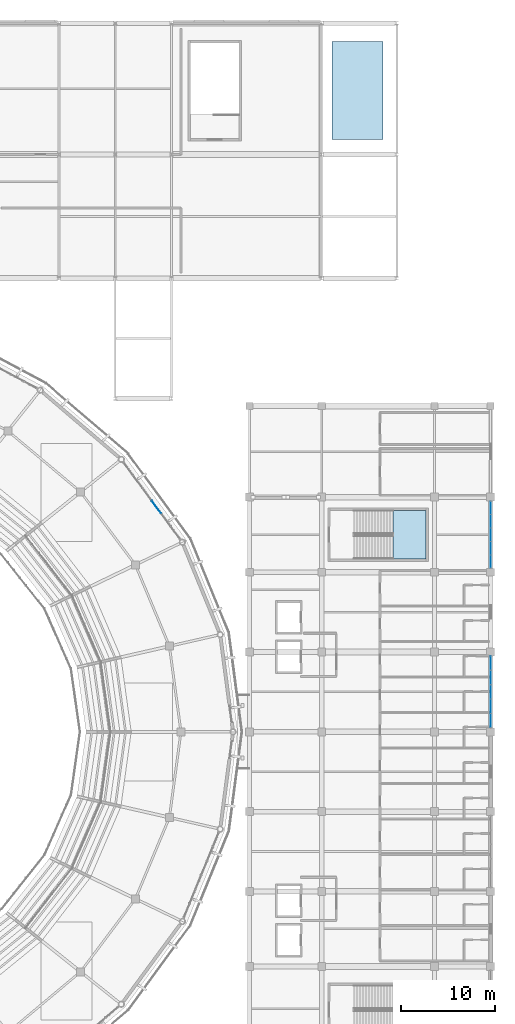
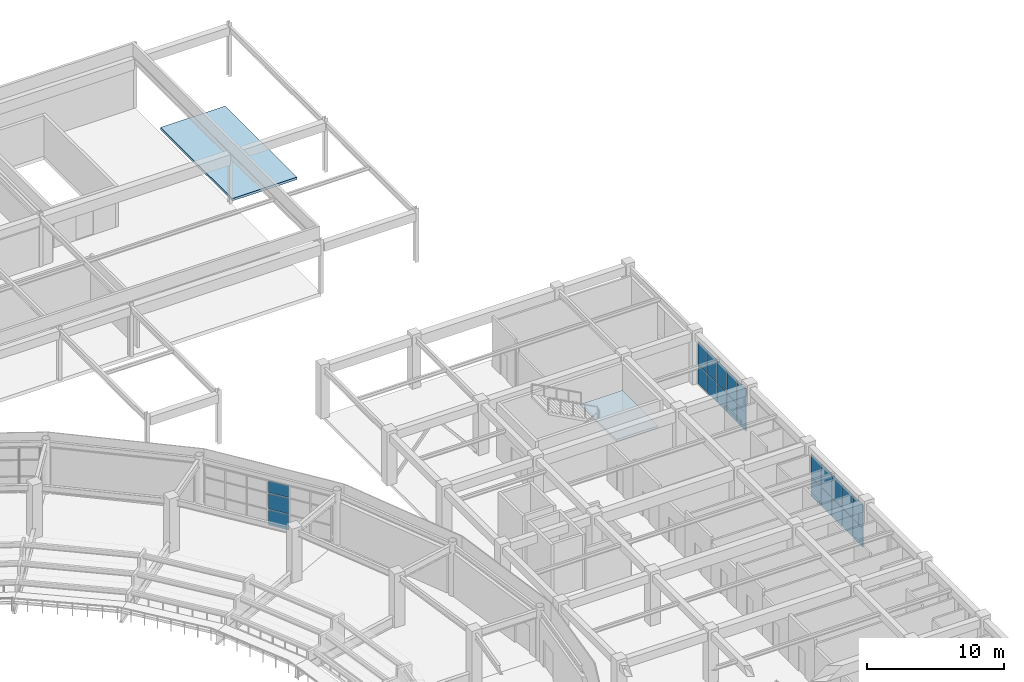
# One storey, part 88 of 122: 23 plates, 2 slabs, 4 elements without a shape of their own.
"""IFC4 building model written with IfcOpenShell, lengths in metres."""

from ifc_helpers import new_model, si_unit, direction, frame, origin, origin_2d, place, context, subcontext, project, spatial, polyline, rectangle, outline, extrude, material, layer, layer_set, type_object, element, aggregate, save


model = new_model("IFC4")

# Units and contexts
model_context = context("Model", 3, precision=1e-05, world=origin(), true_north=direction((0.0, 1.0)))
body_context = subcontext(model_context, "Body", "Model", "MODEL_VIEW")
ifc_project = project(units=[si_unit("LENGTHUNIT", "METRE"), si_unit("AREAUNIT", "SQUARE_METRE"), si_unit("VOLUMEUNIT", "CUBIC_METRE"), si_unit("PLANEANGLEUNIT", "RADIAN"), si_unit("MASSUNIT", "GRAM", prefix="KILO")], contexts=[model_context])

# Site, building, storey
site_placement = place(None, origin())
site = spatial("IfcSite", under=ifc_project, at=site_placement, CompositionType="ELEMENT")
building_placement = place(site_placement, origin())
building = spatial("IfcBuilding", under=site, at=building_placement, Name="Cuetzalor Civic Arena", CompositionType="ELEMENT")
storey_placement = place(building_placement, frame((0.0, 0.0, 16.199951171875)))
storey = spatial("IfcBuildingStorey", under=building, at=storey_placement, Name="L03", CompositionType="ELEMENT", Elevation=16.199951171875)

# Curtain wall, plates
ifc_material_1 = material(Name="Anodised dark bronze aluminium and low-E solar glass", Category="aluminium")
curtain_wall_type_1 = type_object("IfcCurtainWallType", Name="UnitisedCW_10150x4050", PredefinedType="USERDEFINED", material=ifc_material_1)
curtain_wall_1_placement = place(storey_placement, origin())
curtain_wall_1 = element("IfcCurtainWall", 1, at=curtain_wall_1_placement, inside=storey, type_object=curtain_wall_type_1, Name="Drum Triangle Foyer Curtain Wall L03-045", ObjectType="UNITISED CURTAIN WALL", PredefinedType="USERDEFINED")
ifc_material_2 = material(Name="Acoustic laminated solar control glass", Category="glass")
ifc_layer_1 = layer(ifc_material_2, 0.0439453125)
ifc_layer_set_1 = layer_set([ifc_layer_1], Name="Acoustic laminated solar control glass")
plate_type = type_object("IfcPlateType", Name="AcousticTripleGlazedPanel_44", PredefinedType="CURTAIN_PANEL", material=ifc_layer_set_1)
plate_1_placement = place(storey_placement, frame((46.399658203125, 23.9296875, 0.06494140625), z_axis=(0.0, 0.0, 1.0), x_axis=(0.59292931222, -0.805254513002, 0.0)))
plate_1 = element("IfcPlate", 2, at=plate_1_placement, type_object=plate_type, Name="CW-12 panel 4.1", PredefinedType="CURTAIN_PANEL", context=body_context, shape_type="SweptSolid", body=[
    extrude(rectangle(XDim=1.625732421875, YDim=0.0439453125, at=origin_2d()), origin(), (0.0, 0.0, 1.0), 1.361572265625),
])
plate_2_placement = place(storey_placement, frame((46.399658203125, 23.9296875, 1.491455078125), z_axis=(0.0, 0.0, 1.0), x_axis=(0.59292931222, -0.805254513002, 0.0)))
plate_2 = element("IfcPlate", 3, at=plate_2_placement, type_object=plate_type, Name="CW-12 panel 4.2", PredefinedType="CURTAIN_PANEL", context=body_context, shape_type="SweptSolid", body=[
    extrude(rectangle(XDim=1.625732421875, YDim=0.0439453125, at=origin_2d()), origin(), (0.0, 0.0, 1.0), 1.39404296875),
])
plate_3_placement = place(storey_placement, frame((46.399658203125, 23.9296875, 2.950439453125), z_axis=(0.0, 0.0, 1.0), x_axis=(0.59292931222, -0.805254513002, 0.0)))
plate_3 = element("IfcPlate", 4, at=plate_3_placement, type_object=plate_type, Name="CW-12 panel 4.3", PredefinedType="CURTAIN_PANEL", context=body_context, shape_type="SweptSolid", body=[
    extrude(rectangle(XDim=1.625732421875, YDim=0.0439453125, at=origin_2d()), origin(), (0.0, 0.0, 1.0), 1.03759765625),
])
aggregate(curtain_wall_1, [plate_1, plate_2, plate_3])

ifc_material_3 = material(Name="Anodised dark bronze aluminium and low-E solar glass", Category="aluminium")
curtain_wall_type_2 = type_object("IfcCurtainWallType", Name="UnitisedCW_7700x3850", PredefinedType="USERDEFINED", material=ifc_material_3)
curtain_wall_2_placement = place(storey_placement, origin())
curtain_wall_2 = element("IfcCurtainWall", 5, at=curtain_wall_2_placement, inside=storey, type_object=curtain_wall_type_2, Name="V4E Suite Viewing Curtain Wall L03-148", ObjectType="UNITISED CURTAIN WALL", PredefinedType="USERDEFINED")
plate_4_placement = place(storey_placement, frame((82.0, 7.30810546875, 0.06494140625), z_axis=(0.0, 0.0, 1.0), x_axis=(0.0, -1.0, 0.0)))
plate_4 = element("IfcPlate", 6, at=plate_4_placement, type_object=plate_type, Name="CW-42 panel 1.1", PredefinedType="CURTAIN_PANEL", context=body_context, shape_type="SweptSolid", body=[
    extrude(rectangle(XDim=1.439697265625, YDim=0.0439453125, at=origin_2d()), origin(), (0.0, 0.0, 1.0), 1.639404296875),
])
plate_5_placement = place(storey_placement, frame((82.0, 7.30810546875, 1.76953125), z_axis=(0.0, 0.0, 1.0), x_axis=(0.0, -1.0, 0.0)))
plate_5 = element("IfcPlate", 7, at=plate_5_placement, type_object=plate_type, Name="CW-42 panel 1.2", PredefinedType="CURTAIN_PANEL", context=body_context, shape_type="SweptSolid", body=[
    extrude(rectangle(XDim=1.439697265625, YDim=0.0439453125, at=origin_2d()), origin(), (0.0, 0.0, 1.0), 2.025390625),
])
plate_6_placement = place(storey_placement, frame((82.0, 5.787109375, 0.06494140625), z_axis=(0.0, 0.0, 1.0), x_axis=(0.0, -1.0, 0.0)))
plate_6 = element("IfcPlate", 8, at=plate_6_placement, type_object=plate_type, Name="CW-42 panel 2.1", PredefinedType="CURTAIN_PANEL", context=body_context, shape_type="SweptSolid", body=[
    extrude(rectangle(XDim=1.47216796875, YDim=0.0439453125, at=origin_2d()), origin(), (0.0, 0.0, 1.0), 1.639404296875),
])
plate_7_placement = place(storey_placement, frame((82.0, 5.787109375, 1.76953125), z_axis=(0.0, 0.0, 1.0), x_axis=(0.0, -1.0, 0.0)))
plate_7 = element("IfcPlate", 9, at=plate_7_placement, type_object=plate_type, Name="CW-42 panel 2.2", PredefinedType="CURTAIN_PANEL", context=body_context, shape_type="SweptSolid", body=[
    extrude(rectangle(XDim=1.47216796875, YDim=0.0439453125, at=origin_2d()), origin(), (0.0, 0.0, 1.0), 2.025390625),
])
plate_8_placement = place(storey_placement, frame((82.0, 4.25, 0.06494140625), z_axis=(0.0, 0.0, 1.0), x_axis=(0.0, -1.0, 0.0)))
plate_8 = element("IfcPlate", 10, at=plate_8_placement, type_object=plate_type, Name="CW-42 panel 3.1", PredefinedType="CURTAIN_PANEL", context=body_context, shape_type="SweptSolid", body=[
    extrude(rectangle(XDim=1.47216796875, YDim=0.0439453125, at=origin_2d()), origin(), (0.0, 0.0, 1.0), 1.639404296875),
])
plate_9_placement = place(storey_placement, frame((82.0, 4.25, 1.76953125), z_axis=(0.0, 0.0, 1.0), x_axis=(0.0, -1.0, 0.0)))
plate_9 = element("IfcPlate", 11, at=plate_9_placement, type_object=plate_type, Name="CW-42 panel 3.2", PredefinedType="CURTAIN_PANEL", context=body_context, shape_type="SweptSolid", body=[
    extrude(rectangle(XDim=1.47216796875, YDim=0.0439453125, at=origin_2d()), origin(), (0.0, 0.0, 1.0), 2.025390625),
])
plate_10_placement = place(storey_placement, frame((82.0, 2.712890625, 0.06494140625), z_axis=(0.0, 0.0, 1.0), x_axis=(0.0, -1.0, 0.0)))
plate_10 = element("IfcPlate", 12, at=plate_10_placement, type_object=plate_type, Name="CW-42 panel 4.1", PredefinedType="CURTAIN_PANEL", context=body_context, shape_type="SweptSolid", body=[
    extrude(rectangle(XDim=1.47216796875, YDim=0.0439453125, at=origin_2d()), origin(), (0.0, 0.0, 1.0), 1.639404296875),
])
plate_11_placement = place(storey_placement, frame((82.0, 2.712890625, 1.76953125), z_axis=(0.0, 0.0, 1.0), x_axis=(0.0, -1.0, 0.0)))
plate_11 = element("IfcPlate", 13, at=plate_11_placement, type_object=plate_type, Name="CW-42 panel 4.2", PredefinedType="CURTAIN_PANEL", context=body_context, shape_type="SweptSolid", body=[
    extrude(rectangle(XDim=1.47216796875, YDim=0.0439453125, at=origin_2d()), origin(), (0.0, 0.0, 1.0), 2.025390625),
])
plate_12_placement = place(storey_placement, frame((82.0, 1.19189453125, 0.06494140625), z_axis=(0.0, 0.0, 1.0), x_axis=(0.0, -1.0, 0.0)))
plate_12 = element("IfcPlate", 14, at=plate_12_placement, type_object=plate_type, Name="CW-42 panel 5.1", PredefinedType="CURTAIN_PANEL", context=body_context, shape_type="SweptSolid", body=[
    extrude(rectangle(XDim=1.439697265625, YDim=0.0439453125, at=origin_2d()), origin(), (0.0, 0.0, 1.0), 1.639404296875),
])
plate_13_placement = place(storey_placement, frame((82.0, 1.19189453125, 1.76953125), z_axis=(0.0, 0.0, 1.0), x_axis=(0.0, -1.0, 0.0)))
plate_13 = element("IfcPlate", 15, at=plate_13_placement, type_object=plate_type, Name="CW-42 panel 5.2", PredefinedType="CURTAIN_PANEL", context=body_context, shape_type="SweptSolid", body=[
    extrude(rectangle(XDim=1.439697265625, YDim=0.0439453125, at=origin_2d()), origin(), (0.0, 0.0, 1.0), 2.025390625),
])
aggregate(curtain_wall_2, [plate_4, plate_5, plate_6, plate_7, plate_8, plate_9, plate_10, plate_11, plate_12, plate_13])

ifc_material_4 = material(Name="Anodised dark bronze aluminium and low-E solar glass", Category="aluminium")
curtain_wall_type_3 = type_object("IfcCurtainWallType", Name="UnitisedCW_7200x3850", PredefinedType="USERDEFINED", material=ifc_material_4)
curtain_wall_3_placement = place(storey_placement, origin())
curtain_wall_3 = element("IfcCurtainWall", 16, at=curtain_wall_3_placement, inside=storey, type_object=curtain_wall_type_3, Name="V4E Suite Viewing Curtain Wall L03-149", ObjectType="UNITISED CURTAIN WALL", PredefinedType="USERDEFINED")
plate_14_placement = place(storey_placement, frame((82.0, 23.858154296875, 0.06494140625), z_axis=(0.0, 0.0, 1.0), x_axis=(0.0, -1.0, 0.0)))
plate_14 = element("IfcPlate", 17, at=plate_14_placement, type_object=plate_type, Name="CW-41 panel 1.1", PredefinedType="CURTAIN_PANEL", context=body_context, shape_type="SweptSolid", body=[
    extrude(rectangle(XDim=1.339599609375, YDim=0.0439453125, at=origin_2d()), origin(), (0.0, 0.0, 1.0), 1.639404296875),
])
plate_15_placement = place(storey_placement, frame((82.0, 23.858154296875, 1.76953125), z_axis=(0.0, 0.0, 1.0), x_axis=(0.0, -1.0, 0.0)))
plate_15 = element("IfcPlate", 18, at=plate_15_placement, type_object=plate_type, Name="CW-41 panel 1.2", PredefinedType="CURTAIN_PANEL", context=body_context, shape_type="SweptSolid", body=[
    extrude(rectangle(XDim=1.339599609375, YDim=0.0439453125, at=origin_2d()), origin(), (0.0, 0.0, 1.0), 2.025390625),
])
plate_16_placement = place(storey_placement, frame((82.0, 22.437255859375, 0.06494140625), z_axis=(0.0, 0.0, 1.0), x_axis=(0.0, -1.0, 0.0)))
plate_16 = element("IfcPlate", 19, at=plate_16_placement, type_object=plate_type, Name="CW-41 panel 2.1", PredefinedType="CURTAIN_PANEL", context=body_context, shape_type="SweptSolid", body=[
    extrude(rectangle(XDim=1.372314453125, YDim=0.0439453125, at=origin_2d()), origin(), (0.0, 0.0, 1.0), 1.639404296875),
])
plate_17_placement = place(storey_placement, frame((82.0, 22.437255859375, 1.76953125), z_axis=(0.0, 0.0, 1.0), x_axis=(0.0, -1.0, 0.0)))
plate_17 = element("IfcPlate", 20, at=plate_17_placement, type_object=plate_type, Name="CW-41 panel 2.2", PredefinedType="CURTAIN_PANEL", context=body_context, shape_type="SweptSolid", body=[
    extrude(rectangle(XDim=1.372314453125, YDim=0.0439453125, at=origin_2d()), origin(), (0.0, 0.0, 1.0), 2.025390625),
])
plate_18_placement = place(storey_placement, frame((82.0, 21.0, 0.06494140625), z_axis=(0.0, 0.0, 1.0), x_axis=(0.0, -1.0, 0.0)))
plate_18 = element("IfcPlate", 21, at=plate_18_placement, type_object=plate_type, Name="CW-41 panel 3.1", PredefinedType="CURTAIN_PANEL", context=body_context, shape_type="SweptSolid", body=[
    extrude(rectangle(XDim=1.372314453125, YDim=0.0439453125, at=origin_2d()), origin(), (0.0, 0.0, 1.0), 1.639404296875),
])
plate_19_placement = place(storey_placement, frame((82.0, 21.0, 1.76953125), z_axis=(0.0, 0.0, 1.0), x_axis=(0.0, -1.0, 0.0)))
plate_19 = element("IfcPlate", 22, at=plate_19_placement, type_object=plate_type, Name="CW-41 panel 3.2", PredefinedType="CURTAIN_PANEL", context=body_context, shape_type="SweptSolid", body=[
    extrude(rectangle(XDim=1.372314453125, YDim=0.0439453125, at=origin_2d()), origin(), (0.0, 0.0, 1.0), 2.025390625),
])
plate_20_placement = place(storey_placement, frame((82.0, 19.562744140625, 0.06494140625), z_axis=(0.0, 0.0, 1.0), x_axis=(0.0, -1.0, 0.0)))
plate_20 = element("IfcPlate", 23, at=plate_20_placement, type_object=plate_type, Name="CW-41 panel 4.1", PredefinedType="CURTAIN_PANEL", context=body_context, shape_type="SweptSolid", body=[
    extrude(rectangle(XDim=1.372314453125, YDim=0.0439453125, at=origin_2d()), origin(), (0.0, 0.0, 1.0), 1.639404296875),
])
plate_21_placement = place(storey_placement, frame((82.0, 19.562744140625, 1.76953125), z_axis=(0.0, 0.0, 1.0), x_axis=(0.0, -1.0, 0.0)))
plate_21 = element("IfcPlate", 24, at=plate_21_placement, type_object=plate_type, Name="CW-41 panel 4.2", PredefinedType="CURTAIN_PANEL", context=body_context, shape_type="SweptSolid", body=[
    extrude(rectangle(XDim=1.372314453125, YDim=0.0439453125, at=origin_2d()), origin(), (0.0, 0.0, 1.0), 2.025390625),
])
plate_22_placement = place(storey_placement, frame((82.0, 18.141845703125, 0.06494140625), z_axis=(0.0, 0.0, 1.0), x_axis=(0.0, -1.0, 0.0)))
plate_22 = element("IfcPlate", 25, at=plate_22_placement, type_object=plate_type, Name="CW-41 panel 5.1", PredefinedType="CURTAIN_PANEL", context=body_context, shape_type="SweptSolid", body=[
    extrude(rectangle(XDim=1.339599609375, YDim=0.0439453125, at=origin_2d()), origin(), (0.0, 0.0, 1.0), 1.639404296875),
])
plate_23_placement = place(storey_placement, frame((82.0, 18.141845703125, 1.76953125), z_axis=(0.0, 0.0, 1.0), x_axis=(0.0, -1.0, 0.0)))
plate_23 = element("IfcPlate", 26, at=plate_23_placement, type_object=plate_type, Name="CW-41 panel 5.2", PredefinedType="CURTAIN_PANEL", context=body_context, shape_type="SweptSolid", body=[
    extrude(rectangle(XDim=1.339599609375, YDim=0.0439453125, at=origin_2d()), origin(), (0.0, 0.0, 1.0), 2.025390625),
])
aggregate(curtain_wall_3, [plate_14, plate_15, plate_16, plate_17, plate_18, plate_19, plate_20, plate_21, plate_22, plate_23])

# Slab
ifc_material_5 = material(Name="Concrete C40/50", Category="concrete")
ifc_layer_2 = layer(ifc_material_5, 0.219970703125)
ifc_layer_set_2 = layer_set([ifc_layer_2], Name="Concrete C40/50")
slab_type_1 = type_object("IfcSlabType", Name="LiftShaftRoofCapSlab_220", PredefinedType="ROOF", material=ifc_layer_set_2)
slab_1_placement = place(storey_placement, frame((0.0, 0.0, -1.199951171875)))
element("IfcSlab", 27, at=slab_1_placement, inside=storey, type_object=slab_type_1, Name="Stair Core Enclosure Cap Slab ST-28", PredefinedType="ROOF", context=body_context, shape_type="SweptSolid", body=[
    extrude(outline(polyline([(65.080078125, 63.080078125), (70.52001953125, 63.080078125), (70.52001953125, 73.52001953125), (65.080078125, 73.52001953125), (65.080078125, 63.080078125)])), origin(), (0.0, 0.0, 1.0), 0.219970703125),
])

# Stair, slab
ifc_material_6 = material(Name="Precast concrete C40/50", Category="concrete")
stair_type = type_object("IfcStairType", Name="EnclosedExitStair_H480", PredefinedType="HALF_TURN_STAIR", material=ifc_material_6)
stair_placement = place(storey_placement, origin())
stair = element("IfcStair", 28, at=stair_placement, inside=storey, type_object=stair_type, Name="L03 Enclosed Exit Stair ST-22", PredefinedType="HALF_TURN_STAIR")
ifc_material_7 = material(Name="Concrete C40/50", Category="concrete")
ifc_layer_3 = layer(ifc_material_7, 0.199951171875)
ifc_layer_set_3 = layer_set([ifc_layer_3], Name="Concrete C40/50")
slab_type_2 = type_object("IfcSlabType", Name="StairHalfLandingSlab_200", PredefinedType="LANDING", material=ifc_layer_set_3)
slab_2_placement = place(storey_placement, frame((0.0, 0.0, 2.199951171875)))
slab_2 = element("IfcSlab", 29, at=slab_2_placement, type_object=slab_type_2, Name="ST-22 landing 1", PredefinedType="LANDING", context=body_context, shape_type="SweptSolid", body=[
    extrude(outline(polyline([(71.583984375, 18.39990234375), (75.10009765625, 18.39990234375), (75.10009765625, 23.60009765625), (71.583984375, 23.60009765625), (71.583984375, 18.39990234375)])), origin(), (0.0, 0.0, 1.0), 0.2001953125),
])
aggregate(stair, [slab_2])

save(model, "model.ifc")
